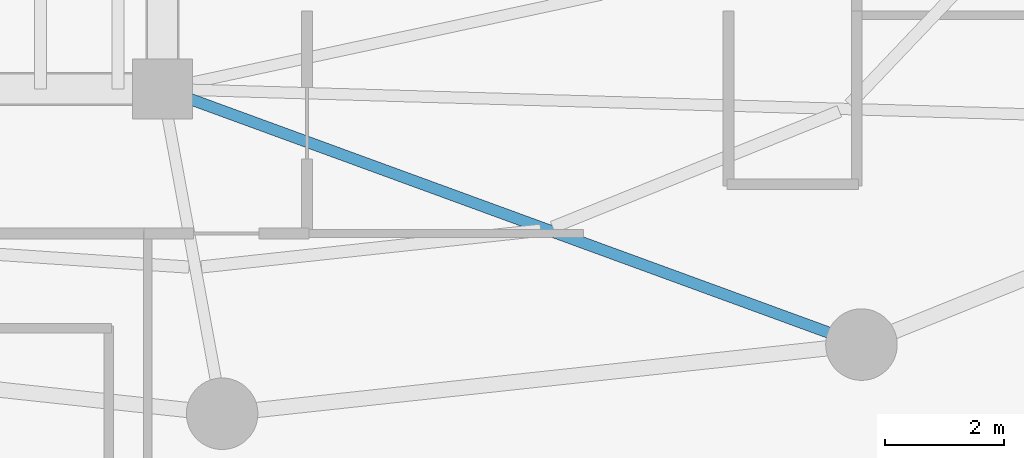
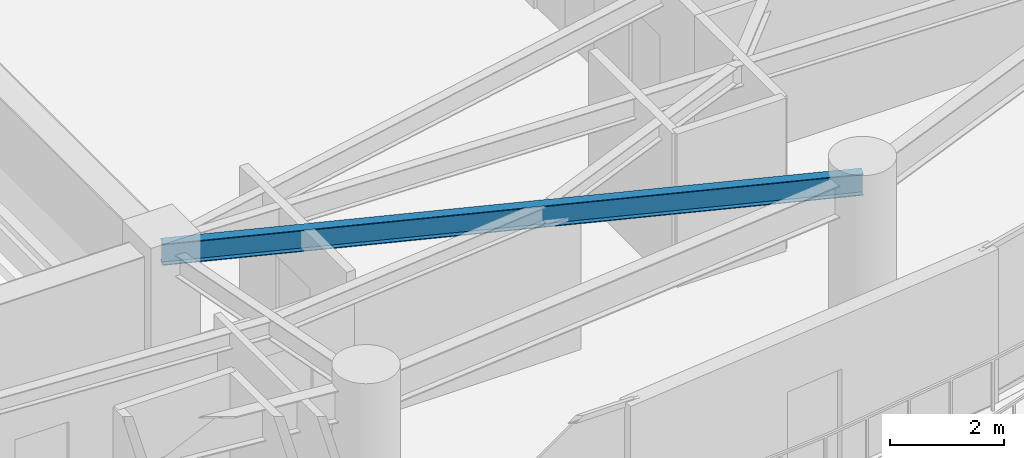
# One storey, part 11 of 33: 1 beam.
"""IFC4 building model written with IfcOpenShell, lengths in metres."""

from ifc_helpers import new_model, si_unit, direction, frame, origin, origin_2d, place, context, subcontext, project, spatial, i_section, extrude, material, material_profile, profile_set, type_object, element, save


model = new_model("IFC4")

# Units and contexts
model_context = context("Model", 3, precision=1e-05, world=origin(), true_north=direction((0.0, 1.0)))
body_context = subcontext(model_context, "Body", "Model", "MODEL_VIEW")
ifc_project = project(units=[si_unit("LENGTHUNIT", "METRE"), si_unit("AREAUNIT", "SQUARE_METRE"), si_unit("VOLUMEUNIT", "CUBIC_METRE"), si_unit("PLANEANGLEUNIT", "RADIAN"), si_unit("MASSUNIT", "GRAM", prefix="KILO")], contexts=[model_context])

# Site, building, storey
site_placement = place(None, origin())
site = spatial("IfcSite", under=ifc_project, at=site_placement, CompositionType="ELEMENT")
building_placement = place(site_placement, origin())
building = spatial("IfcBuilding", under=site, at=building_placement, Name="Kazevale Care Tower and Concert Hall", CompositionType="ELEMENT")
storey_placement = place(building_placement, frame((0.0, 0.0, 178.199951171875)))
storey = spatial("IfcBuildingStorey", under=building, at=storey_placement, Name="L47", CompositionType="ELEMENT", Elevation=178.199951171875)

# Beam
ifc_material = material(Name="Steel ASTM A572 Gr 50", Category="steel")
ifc_material_profile = material_profile(ifc_material, i_section(OverallWidth=0.19091796875, OverallDepth=0.4599609375, WebThickness=0.010009765625, FlangeThickness=0.01611328125, at=origin_2d()), Name="W460x82")
ifc_profile_set = profile_set([ifc_material_profile], Name="Steel ASTM A572 Gr 50")
beam_type = type_object("IfcBeamType", Name="Radial Floor Beam W460x82", PredefinedType="BEAM", material=ifc_profile_set)
beam_placement = place(storey_placement, frame((44.0, 23.60009765625, 3.050048828125), z_axis=(0.939159459123, -0.343481455599, 0.0), x_axis=(0.343481455599, 0.939159459123, 0.0)))
element("IfcBeam", 1, at=beam_placement, inside=storey, type_object=beam_type, Name="beam:L47:rad:14", PredefinedType="BEAM", context=body_context, shape_type="SweptSolid", body=[
    extrude(i_section(OverallWidth=0.19091796875, OverallDepth=0.4599609375, WebThickness=0.010009765625, FlangeThickness=0.01611328125, at=origin_2d()), origin(), (0.0, 0.0, 1.0), 12.489990234375),
])

save(model, "model.ifc")
